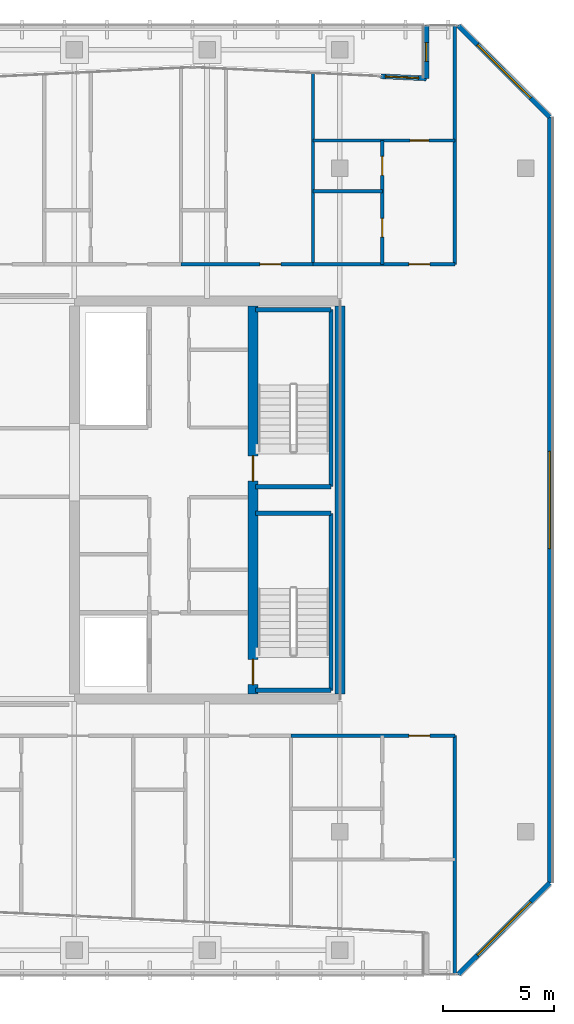
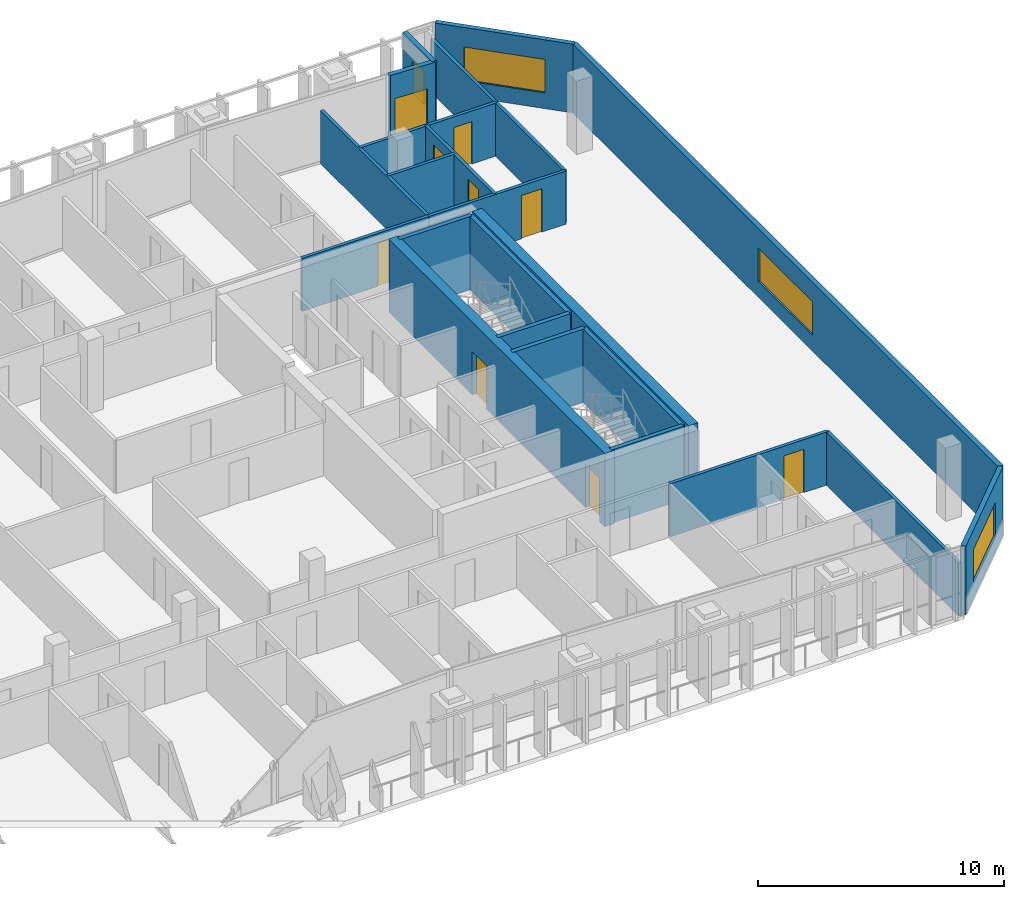
# One storey, part 25 of 31: 22 walls, 9 doors, 4 windows, 13 openings.
"""IFC4 building model written with IfcOpenShell, lengths in metres."""

from ifc_helpers import new_model, si_unit, direction, frame, frame_2d, origin, place, context, subcontext, project, spatial, rectangle, extrude, material, layer, layer_set, type_object, element, fill, save


model = new_model("IFC4")

# Units and contexts
model_context = context("Model", 3, precision=1e-05, world=origin(), true_north=direction((0.0, 1.0)))
body_context = subcontext(model_context, "Body", "Model", "MODEL_VIEW")
ifc_project = project(units=[si_unit("LENGTHUNIT", "METRE"), si_unit("AREAUNIT", "SQUARE_METRE"), si_unit("VOLUMEUNIT", "CUBIC_METRE"), si_unit("PLANEANGLEUNIT", "RADIAN"), si_unit("MASSUNIT", "GRAM", prefix="KILO")], contexts=[model_context])

# Site, building, storey
site_placement = place(None, origin())
site = spatial("IfcSite", under=ifc_project, at=site_placement, CompositionType="ELEMENT")
building_placement = place(site_placement, origin())
building = spatial("IfcBuilding", under=site, at=building_placement, Name="Tanjung Sevakor Pilgrim Tower", CompositionType="ELEMENT")
storey_placement = place(building_placement, frame((0.0, 0.0, 208.22998046875)))
storey = spatial("IfcBuildingStorey", under=building, at=storey_placement, Name="L58", CompositionType="ELEMENT", Elevation=208.22998046875)

# Wall
ifc_material_1 = material(Name="Concrete C60/75", Category="concrete")
ifc_layer_1 = layer(ifc_material_1, 0.449951171875)
ifc_layer_set_1 = layer_set([ifc_layer_1], Name="WALL-CW-450")
wall_type_1 = type_object("IfcWallType", Name="WALL-CW-450", PredefinedType="SHEAR", material=ifc_layer_set_1)
wall_1_placement = place(storey_placement, frame((90.0, 24.824951171875, 0.0), z_axis=(0.0, 0.0, 1.0), x_axis=(0.0, 1.0, 0.0)))
element("IfcWall", 1, at=wall_1_placement, inside=storey, type_object=wall_type_1, Name="L58 E Core Outer Shear Wall", PredefinedType="SHEAR", context=body_context, shape_type="SweptSolid", body=[
    extrude(rectangle(XDim=17.550048828125, YDim=0.449951171875, at=frame_2d((8.77490234375, 0.0))), origin(), (0.0, 0.0, 1.0), 3.630126953125),
])

# Wall, openings, doors
wall_2_placement = place(storey_placement, frame((86.074951171875, 24.824951171875, 0.0), z_axis=(0.0, 0.0, 1.0), x_axis=(0.0, 1.0, 0.0)))
wall_2 = element("IfcWall", 2, at=wall_2_placement, inside=storey, type_object=wall_type_1, Name="L58 E Core Stair Spine Wall", PredefinedType="SHEAR", context=body_context, shape_type="SweptSolid", body=[
    extrude(rectangle(XDim=17.550048828125, YDim=0.449951171875, at=frame_2d((8.77490234375, 0.0))), origin(), (0.0, 0.0, 1.0), 3.630126953125),
])
opening_1_placement = place(wall_2_placement, frame((0.425048828125, 0.0, 0.0)))
opening_1 = element("IfcOpeningElement", 3, at=opening_1_placement, cuts=wall_2, Name="Opening ID-ST1", PredefinedType="OPENING", context=body_context, shape_type="SweptSolid", body=[
    extrude(rectangle(XDim=1.14990234375, YDim=2.14990234375, at=frame_2d((0.574951171875, 1.074951171875))), frame((0.0, 0.23486328125, 0.0), z_axis=(0.0, -1.0, 0.0), x_axis=(1.0, 0.0, 0.0)), (0.0, 0.0, 1.0), 0.469970703125),
])
opening_2_placement = place(wall_2_placement, frame((9.625, 0.0, 0.0)))
opening_2 = element("IfcOpeningElement", 4, at=opening_2_placement, cuts=wall_2, Name="Opening ID-ST1", PredefinedType="OPENING", context=body_context, shape_type="SweptSolid", body=[
    extrude(rectangle(XDim=1.14990234375, YDim=2.14990234375, at=frame_2d((0.574951171875, 1.074951171875))), frame((0.0, 0.23486328125, 0.0), z_axis=(0.0, -1.0, 0.0), x_axis=(1.0, 0.0, 0.0)), (0.0, 0.0, 1.0), 0.469970703125),
])
ifc_material_2 = material(Name="Fire-Rated Steel S355J2", Category="steel")
door_type_1 = type_object("IfcDoorType", Name="DT-FIRE-1150", OperationType="NOTDEFINED", PredefinedType="DOOR", material=ifc_material_2)
door_1_placement = place(opening_1_placement, origin())
door_1 = element("IfcDoor", 5, at=door_1_placement, inside=storey, type_object=door_type_1, Name="L58 TS-E1 Stair Fire Door", OperationType="SINGLE_SWING_LEFT", OverallHeight=2.14990234375, OverallWidth=1.14990234375, PredefinedType="DOOR", context=body_context, shape_type="SweptSolid", body=[
    extrude(rectangle(XDim=1.14990234375, YDim=2.14990234375, at=frame_2d((0.574951171875, 1.074951171875))), frame((0.0, 0.02490234375, 0.0), z_axis=(0.0, -1.0, 0.0), x_axis=(1.0, 0.0, 0.0)), (0.0, 0.0, 1.0), 0.050048828125),
])
fill(opening_1, door_1)
door_2_placement = place(opening_2_placement, origin())
door_2 = element("IfcDoor", 6, at=door_2_placement, inside=storey, type_object=door_type_1, Name="L58 TS-E2 Stair Fire Door", OperationType="SINGLE_SWING_RIGHT", OverallHeight=2.14990234375, OverallWidth=1.14990234375, PredefinedType="DOOR", context=body_context, shape_type="SweptSolid", body=[
    extrude(rectangle(XDim=1.14990234375, YDim=2.14990234375, at=frame_2d((0.574951171875, 1.074951171875))), frame((0.0, 0.02490234375, 0.0), z_axis=(0.0, -1.0, 0.0), x_axis=(1.0, 0.0, 0.0)), (0.0, 0.0, 1.0), 0.050048828125),
])
fill(opening_2, door_2)

# Wall
ifc_material_3 = material(Name="Concrete C40/50", Category="concrete")
ifc_layer_2 = layer(ifc_material_3, 0.14990234375)
ifc_layer_set_2 = layer_set([ifc_layer_2], Name="WT-COMP-150")
wall_type_2 = type_object("IfcWallType", Name="WT-COMP-150", PredefinedType="SOLIDWALL", material=ifc_layer_set_2)
wall_3_placement = place(storey_placement, frame((95.199951171875, 12.159912109375, 0.0), z_axis=(0.0, 0.0, 1.0), x_axis=(0.0, 1.0, 0.0)))
element("IfcWall", 7, at=wall_3_placement, inside=storey, type_object=wall_type_2, Name="L58 Partition IW-L58-071", PredefinedType="SOLIDWALL", context=body_context, shape_type="SweptSolid", body=[
    extrude(rectangle(XDim=10.7900390625, YDim=0.14990234375, at=frame_2d((5.39501953125, 0.0))), origin(), (0.0, 0.0, 1.0), 2.6298828125),
])

# Wall, opening, door
wall_4_placement = place(storey_placement, frame((87.79150390625, 22.949951171875, 0.0), z_axis=(0.0, 0.0, 1.0), x_axis=(1.0, 0.0, 0.0)))
wall_4 = element("IfcWall", 8, at=wall_4_placement, inside=storey, type_object=wall_type_2, Name="L58 Partition IW-L58-093", PredefinedType="SOLIDWALL", context=body_context, shape_type="SweptSolid", body=[
    extrude(rectangle(XDim=7.408447265625, YDim=0.14990234375, at=frame_2d((3.7041015625, 0.0))), origin(), (0.0, 0.0, 1.0), 2.6298828125),
])
opening_3_placement = place(wall_4_placement, frame((5.33349609375, 0.0, 0.0)))
opening_3 = element("IfcOpeningElement", 9, at=opening_3_placement, cuts=wall_4, Name="Opening ID-FD2", PredefinedType="OPENING", context=body_context, shape_type="SweptSolid", body=[
    extrude(rectangle(XDim=0.949951171875, YDim=2.14990234375, at=frame_2d((0.47509765625, 1.074951171875))), frame((0.0, 0.0849609375, 0.0), z_axis=(0.0, -1.0, 0.0), x_axis=(1.0, 0.0, 0.0)), (0.0, 0.0, 1.0), 0.169921875),
])
ifc_material_4 = material(Name="Fire-Rated Timber", Category="wood")
door_type_2 = type_object("IfcDoorType", Name="DT-FIRE-950", OperationType="NOTDEFINED", PredefinedType="DOOR", material=ifc_material_4)
door_3_placement = place(opening_3_placement, origin())
door_3 = element("IfcDoor", 10, at=door_3_placement, inside=storey, type_object=door_type_2, Name="Residence Entrance", OperationType="SINGLE_SWING_RIGHT", OverallHeight=2.14990234375, OverallWidth=0.949951171875, PredefinedType="DOOR", context=body_context, shape_type="SweptSolid", body=[
    extrude(rectangle(XDim=0.949951171875, YDim=2.14990234375, at=frame_2d((0.47509765625, 1.074951171875))), frame((0.0, 0.02490234375, 0.0), z_axis=(0.0, -1.0, 0.0), x_axis=(1.0, 0.0, 0.0)), (0.0, 0.0, 1.0), 0.050048828125),
])
fill(opening_3, door_3)

# Walls
wall_5_placement = place(storey_placement, frame((95.199951171875, 44.25, 0.0), z_axis=(0.0, 0.0, 1.0), x_axis=(0.0, 1.0, 0.0)))
element("IfcWall", 11, at=wall_5_placement, inside=storey, type_object=wall_type_2, Name="L58 Partition IW-L58-104", PredefinedType="SOLIDWALL", context=body_context, shape_type="SweptSolid", body=[
    extrude(rectangle(XDim=10.7900390625, YDim=0.14990234375, at=frame_2d((5.39501953125, 0.0))), origin(), (0.0, 0.0, 1.0), 2.6298828125),
])
wall_6_placement = place(storey_placement, frame((88.783935546875, 44.25, 0.0), z_axis=(0.0, 0.0, 1.0), x_axis=(0.0, 1.0, 0.0)))
element("IfcWall", 12, at=wall_6_placement, inside=storey, type_object=wall_type_2, Name="L58 Partition IW-L58-123", PredefinedType="SOLIDWALL", context=body_context, shape_type="SweptSolid", body=[
    extrude(rectangle(XDim=8.64990234375, YDim=0.14990234375, at=frame_2d((4.324951171875, 0.0))), origin(), (0.0, 0.0, 1.0), 2.6298828125),
])

# Wall, opening, door
wall_7_placement = place(storey_placement, frame((82.825927734375, 44.25, 0.0), z_axis=(0.0, 0.0, 1.0), x_axis=(1.0, 0.0, 0.0)))
wall_7 = element("IfcWall", 13, at=wall_7_placement, inside=storey, type_object=wall_type_2, Name="L58 Partition IW-L58-126", PredefinedType="SOLIDWALL", context=body_context, shape_type="SweptSolid", body=[
    extrude(rectangle(XDim=5.9580078125, YDim=0.14990234375, at=frame_2d((2.97900390625, 0.0))), origin(), (0.0, 0.0, 1.0), 2.6298828125),
])
opening_4_placement = place(wall_7_placement, frame((3.556884765625, 0.0, 0.0)))
opening_4 = element("IfcOpeningElement", 14, at=opening_4_placement, cuts=wall_7, Name="Opening ID-FD2", PredefinedType="OPENING", context=body_context, shape_type="SweptSolid", body=[
    extrude(rectangle(XDim=0.949951171875, YDim=2.14990234375, at=frame_2d((0.47509765625, 1.074951171875))), frame((0.0, 0.0849609375, 0.0), z_axis=(0.0, -1.0, 0.0), x_axis=(1.0, 0.0, 0.0)), (0.0, 0.0, 1.0), 0.169921875),
])
door_4_placement = place(opening_4_placement, origin())
door_4 = element("IfcDoor", 15, at=door_4_placement, inside=storey, type_object=door_type_2, Name="Hostel Quad Entrance", OperationType="SINGLE_SWING_RIGHT", OverallHeight=2.14990234375, OverallWidth=0.949951171875, PredefinedType="DOOR", context=body_context, shape_type="SweptSolid", body=[
    extrude(rectangle(XDim=0.949951171875, YDim=2.14990234375, at=frame_2d((0.47509765625, 1.074951171875))), frame((0.0, 0.02490234375, 0.0), z_axis=(0.0, -1.0, 0.0), x_axis=(1.0, 0.0, 0.0)), (0.0, 0.0, 1.0), 0.050048828125),
])
fill(opening_4, door_4)

wall_8_placement = place(storey_placement, frame((88.783935546875, 44.25, 0.0), z_axis=(0.0, 0.0, 1.0), x_axis=(1.0, 0.0, 0.0)))
wall_8 = element("IfcWall", 16, at=wall_8_placement, inside=storey, type_object=wall_type_2, Name="L58 Partition IW-L58-130", PredefinedType="SOLIDWALL", context=body_context, shape_type="SweptSolid", body=[
    extrude(rectangle(XDim=6.416015625, YDim=0.14990234375, at=frame_2d((3.2080078125, 0.0))), origin(), (0.0, 0.0, 1.0), 2.6298828125),
])
opening_5_placement = place(wall_8_placement, frame((4.341064453125, 0.0, 0.0)))
opening_5 = element("IfcOpeningElement", 17, at=opening_5_placement, cuts=wall_8, Name="Opening ID-FD2", PredefinedType="OPENING", context=body_context, shape_type="SweptSolid", body=[
    extrude(rectangle(XDim=0.949951171875, YDim=2.14990234375, at=frame_2d((0.47509765625, 1.074951171875))), frame((0.0, 0.0849609375, 0.0), z_axis=(0.0, -1.0, 0.0), x_axis=(1.0, 0.0, 0.0)), (0.0, 0.0, 1.0), 0.169921875),
])
door_5_placement = place(opening_5_placement, origin())
door_5 = element("IfcDoor", 18, at=door_5_placement, inside=storey, type_object=door_type_2, Name="Residence Entrance", OperationType="SINGLE_SWING_RIGHT", OverallHeight=2.14990234375, OverallWidth=0.949951171875, PredefinedType="DOOR", context=body_context, shape_type="SweptSolid", body=[
    extrude(rectangle(XDim=0.949951171875, YDim=2.14990234375, at=frame_2d((0.47509765625, 1.074951171875))), frame((0.0, 0.02490234375, 0.0), z_axis=(0.0, -1.0, 0.0), x_axis=(1.0, 0.0, 0.0)), (0.0, 0.0, 1.0), 0.050048828125),
])
fill(opening_5, door_5)

# Wall, opening, window
ifc_material_5 = material(Name="Precast concrete C45/55", Category="concrete")
ifc_layer_3 = layer(ifc_material_5, 0.219970703125)
ifc_layer_set_3 = layer_set([ifc_layer_3], Name="WT-EW-STN4")
wall_type_3 = type_object("IfcWallType", Name="WT-EW-STN4", PredefinedType="SOLIDWALL", material=ifc_layer_set_3)
wall_9_placement = place(storey_placement, frame((95.3544921875, 12.159912109375, 0.0), z_axis=(0.0, 0.0, 1.0), x_axis=(0.707085909342, 0.707127652415, 0.0)))
wall_9 = element("IfcWall", 19, at=wall_9_placement, inside=storey, type_object=wall_type_3, Name="L58 MAIN Sculpted Corner Wall 15", PredefinedType="SOLIDWALL", context=body_context, shape_type="SweptSolid", body=[
    extrude(rectangle(XDim=5.8486328125, YDim=0.219970703125, at=frame_2d((2.92431640625, 0.0))), origin(), (0.0, 0.0, 1.0), 3.409912109375),
])
opening_6_placement = place(wall_9_placement, frame((1.224365234375, 0.0, 0.780029296875)))
opening_6 = element("IfcOpeningElement", 20, at=opening_6_placement, cuts=wall_9, Name="Opening WN-CHM-1660", PredefinedType="OPENING", context=body_context, shape_type="SweptSolid", body=[
    extrude(rectangle(XDim=3.39990234375, YDim=1.659912109375, at=frame_2d((1.699951171875, 0.830078125))), frame((0.0, 0.119873046875, 0.0), z_axis=(0.0, -1.0, 0.0), x_axis=(1.0, 0.0, 0.0)), (0.0, 0.0, 1.0), 0.239990234375),
])
ifc_material_6 = material(Name="Thermally Broken Aluminium and Low-E Glass", Category="aluminium")
window_type_1 = type_object("IfcWindowType", Name="WTYP-WN-CHM-1660", PartitioningType="DOUBLE_PANEL_VERTICAL", PredefinedType="WINDOW", material=ifc_material_6)
window_1_placement = place(opening_6_placement, origin())
window_1 = element("IfcWindow", 21, at=window_1_placement, inside=storey, type_object=window_type_1, Name="L58 Facade Window 01", OverallHeight=1.659912109375, OverallWidth=3.39990234375, PartitioningType="SINGLE_PANEL", PredefinedType="WINDOW", context=body_context, shape_type="SweptSolid", body=[
    extrude(rectangle(XDim=3.39990234375, YDim=1.659912109375, at=frame_2d((1.699951171875, 0.830078125))), frame((0.0, 0.030029296875, 0.0), z_axis=(0.0, -1.0, 0.0), x_axis=(1.0, 0.0, 0.0)), (0.0, 0.0, 1.0), 0.06005859375),
])
fill(opening_6, window_1)

wall_10_placement = place(storey_placement, frame((99.489990234375, 16.295654296875, 0.0), z_axis=(0.0, 0.0, 1.0), x_axis=(0.0, 1.0, 0.0)))
wall_10 = element("IfcWall", 22, at=wall_10_placement, inside=storey, type_object=wall_type_3, Name="L58 MAIN Exterior Wall 17", PredefinedType="SOLIDWALL", context=body_context, shape_type="SweptSolid", body=[
    extrude(rectangle(XDim=34.608642578125, YDim=0.219970703125, at=frame_2d((17.30419921875, 0.0))), origin(), (0.0, 0.0, 1.0), 3.409912109375),
])
opening_7_placement = place(wall_10_placement, frame((15.1044921875, 0.0, 0.780029296875)))
opening_7 = element("IfcOpeningElement", 23, at=opening_7_placement, cuts=wall_10, Name="Opening WN-ENDW-1660", PredefinedType="OPENING", context=body_context, shape_type="SweptSolid", body=[
    extrude(rectangle(XDim=4.39990234375, YDim=1.659912109375, at=frame_2d((2.199951171875, 0.830078125))), frame((0.0, 0.119873046875, 0.0), z_axis=(0.0, -1.0, 0.0), x_axis=(1.0, 0.0, 0.0)), (0.0, 0.0, 1.0), 0.239990234375),
])
ifc_material_7 = material(Name="Thermally Broken Aluminium and Low-E Glass", Category="aluminium")
window_type_2 = type_object("IfcWindowType", Name="WTYP-WN-ENDW-1660", PartitioningType="DOUBLE_PANEL_VERTICAL", PredefinedType="WINDOW", material=ifc_material_7)
window_2_placement = place(opening_7_placement, origin())
window_2 = element("IfcWindow", 24, at=window_2_placement, inside=storey, type_object=window_type_2, Name="L58 Facade Window 01", OverallHeight=1.659912109375, OverallWidth=4.39990234375, PartitioningType="SINGLE_PANEL", PredefinedType="WINDOW", context=body_context, shape_type="SweptSolid", body=[
    extrude(rectangle(XDim=4.39990234375, YDim=1.659912109375, at=frame_2d((2.199951171875, 0.830078125))), frame((0.0, 0.030029296875, 0.0), z_axis=(0.0, -1.0, 0.0), x_axis=(1.0, 0.0, 0.0)), (0.0, 0.0, 1.0), 0.06005859375),
])
fill(opening_7, window_2)

wall_11_placement = place(storey_placement, frame((99.489990234375, 50.904296875, 0.0), z_axis=(0.0, 0.0, 1.0), x_axis=(-0.707085909342, 0.707127652415, 0.0)))
wall_11 = element("IfcWall", 25, at=wall_11_placement, inside=storey, type_object=wall_type_3, Name="L58 MAIN Sculpted Corner Wall 17", PredefinedType="SOLIDWALL", context=body_context, shape_type="SweptSolid", body=[
    extrude(rectangle(XDim=5.8486328125, YDim=0.219970703125, at=frame_2d((2.92431640625, 0.0))), origin(), (0.0, 0.0, 1.0), 3.409912109375),
])
opening_8_placement = place(wall_11_placement, frame((1.224365234375, 0.0, 0.780029296875)))
opening_8 = element("IfcOpeningElement", 26, at=opening_8_placement, cuts=wall_11, Name="Opening WN-CHM-1660", PredefinedType="OPENING", context=body_context, shape_type="SweptSolid", body=[
    extrude(rectangle(XDim=3.39990234375, YDim=1.659912109375, at=frame_2d((1.699951171875, 0.830078125))), frame((0.0, 0.119873046875, 0.0), z_axis=(0.0, -1.0, 0.0), x_axis=(1.0, 0.0, 0.0)), (0.0, 0.0, 1.0), 0.239990234375),
])
window_3_placement = place(opening_8_placement, origin())
window_3 = element("IfcWindow", 27, at=window_3_placement, inside=storey, type_object=window_type_1, Name="L58 Facade Window 01", OverallHeight=1.659912109375, OverallWidth=3.39990234375, PartitioningType="SINGLE_PANEL", PredefinedType="WINDOW", context=body_context, shape_type="SweptSolid", body=[
    extrude(rectangle(XDim=3.39990234375, YDim=1.659912109375, at=frame_2d((1.699951171875, 0.830078125))), frame((0.0, 0.030029296875, 0.0), z_axis=(0.0, -1.0, 0.0), x_axis=(1.0, 0.0, 0.0)), (0.0, 0.0, 1.0), 0.06005859375),
])
fill(opening_8, window_3)

wall_12_placement = place(storey_placement, frame((93.909912109375, 55.0400390625, 0.0), z_axis=(0.0, 0.0, 1.0), x_axis=(0.0, -1.0, 0.0)))
wall_12 = element("IfcWall", 28, at=wall_12_placement, inside=storey, type_object=wall_type_3, Name="L58 MAIN Exterior Wall 20", PredefinedType="SOLIDWALL", context=body_context, shape_type="SweptSolid", body=[
    extrude(rectangle(XDim=2.385498046875, YDim=0.219970703125, at=frame_2d((1.19287109375, 0.0))), origin(), (0.0, 0.0, 1.0), 3.409912109375),
])
opening_9_placement = place(wall_12_placement, frame((0.767578125, 0.0, 0.780029296875)))
opening_9 = element("IfcOpeningElement", 29, at=opening_9_placement, cuts=wall_12, Name="Opening WN-SLM", PredefinedType="OPENING", context=body_context, shape_type="SweptSolid", body=[
    extrude(rectangle(XDim=0.85009765625, YDim=1.64990234375, at=frame_2d((0.425048828125, 0.824951171875))), frame((0.0, 0.119873046875, 0.0), z_axis=(0.0, -1.0, 0.0), x_axis=(1.0, 0.0, 0.0)), (0.0, 0.0, 1.0), 0.239990234375),
])
ifc_material_8 = material(Name="Thermally Broken Aluminium and Low-E Glass", Category="aluminium")
window_type_3 = type_object("IfcWindowType", Name="WTYP-WN-SLM", PartitioningType="SINGLE_PANEL", PredefinedType="WINDOW", material=ifc_material_8)
window_4_placement = place(opening_9_placement, origin())
window_4 = element("IfcWindow", 30, at=window_4_placement, inside=storey, type_object=window_type_3, Name="L58 Facade Window 01", OverallHeight=1.64990234375, OverallWidth=0.85009765625, PartitioningType="SINGLE_PANEL", PredefinedType="WINDOW", context=body_context, shape_type="SweptSolid", body=[
    extrude(rectangle(XDim=0.85009765625, YDim=1.64990234375, at=frame_2d((0.425048828125, 0.824951171875))), frame((0.0, 0.030029296875, 0.0), z_axis=(0.0, -1.0, 0.0), x_axis=(1.0, 0.0, 0.0)), (0.0, 0.0, 1.0), 0.06005859375),
])
fill(opening_9, window_4)

# Wall, opening, door
wall_13_placement = place(storey_placement, frame((93.909912109375, 52.654541015625, 0.0), z_axis=(0.0, 0.0, 1.0), x_axis=(-0.998853072347, 0.047880474754, 0.0)))
wall_13 = element("IfcWall", 31, at=wall_13_placement, inside=storey, type_object=wall_type_3, Name="L58 S-Curve Terrace Threshold Wall 20", PredefinedType="SOLIDWALL", context=body_context, shape_type="SweptSolid", body=[
    extrude(rectangle(XDim=2.06005859375, YDim=0.219970703125, at=frame_2d((1.030029296875, 0.0))), origin(), (0.0, 0.0, 1.0), 3.409912109375),
])
opening_10_placement = place(wall_13_placement, frame((0.35009765625, 0.0, 0.0)))
opening_10 = element("IfcOpeningElement", 32, at=opening_10_placement, cuts=wall_13, Name="Opening ED-TER-1500", PredefinedType="OPENING", context=body_context, shape_type="SweptSolid", body=[
    extrude(rectangle(XDim=1.5, YDim=2.199951171875, at=frame_2d((0.75, 1.10009765625))), frame((0.0, 0.119873046875, 0.0), z_axis=(0.0, -1.0, 0.0), x_axis=(1.0, 0.0, 0.0)), (0.0, 0.0, 1.0), 0.239990234375),
])
ifc_material_9 = material(Name="Anodised Aluminium and Laminated Glass", Category="aluminium")
door_type_3 = type_object("IfcDoorType", Name="DTYP-ED-TER-1500", OperationType="DOUBLE_DOOR_SINGLE_SWING", PredefinedType="DOOR", material=ifc_material_9)
door_6_placement = place(opening_10_placement, frame((1.5, 0.0, 0.0), z_axis=(0.0, 0.0, 1.0), x_axis=(-1.0, 0.0, 0.0)))
door_6 = element("IfcDoor", 33, at=door_6_placement, inside=storey, type_object=door_type_3, Name="L58 S-Curve Terrace Access Door 20", OperationType="SINGLE_SWING_LEFT", OverallHeight=2.199951171875, OverallWidth=1.5, PredefinedType="DOOR", context=body_context, shape_type="SweptSolid", body=[
    extrude(rectangle(XDim=1.5, YDim=2.199951171875, at=frame_2d((0.75, 1.10009765625))), frame((0.0, 0.02490234375, 0.0), z_axis=(0.0, -1.0, 0.0), x_axis=(1.0, 0.0, 0.0)), (0.0, 0.0, 1.0), 0.050048828125),
])
fill(opening_10, door_6)

# Walls
ifc_material_10 = material(Name="Concrete C40/50", Category="concrete")
ifc_layer_4 = layer(ifc_material_10, 0.199951171875)
ifc_layer_set_4 = layer_set([ifc_layer_4], Name="WT-FIRE-200")
wall_type_4 = type_object("IfcWallType", Name="WT-FIRE-200", PredefinedType="SOLIDWALL", material=ifc_layer_set_4)
wall_14_placement = place(storey_placement, frame((86.199951171875, 25.0, 0.0), z_axis=(0.0, 0.0, 1.0), x_axis=(1.0, 0.0, 0.0)))
element("IfcWall", 34, at=wall_14_placement, inside=storey, type_object=wall_type_4, Name="L58 TS-E1 Shaft Wall 1", PredefinedType="SOLIDWALL", context=body_context, shape_type="SweptSolid", body=[
    extrude(rectangle(XDim=3.400146484375, YDim=0.199951171875, at=frame_2d((1.7001953125, 0.0))), origin(), (0.0, 0.0, 1.0), 3.630126953125),
])
wall_15_placement = place(storey_placement, frame((89.60009765625, 25.0, 0.0), z_axis=(0.0, 0.0, 1.0), x_axis=(0.0, 1.0, 0.0)))
element("IfcWall", 35, at=wall_15_placement, inside=storey, type_object=wall_type_4, Name="L58 TS-E1 Shaft Wall 2", PredefinedType="SOLIDWALL", context=body_context, shape_type="SweptSolid", body=[
    extrude(rectangle(XDim=8.0, YDim=0.199951171875, at=frame_2d((4.0, 0.0))), origin(), (0.0, 0.0, 1.0), 3.630126953125),
])
for number, where, z_axis, x_axis, name in (
    (36, (89.60009765625, 33.0, 0.0), (0.0, 0.0, 1.0), (-1.0, 0.0, 0.0), "L58 TS-E1 Shaft Wall 3"),
    (37, (86.199951171875, 34.199951171875, 0.0), (0.0, 0.0, 1.0), (1.0, 0.0, 0.0), "L58 TS-E2 Shaft Wall 1"),
):
    element("IfcWall", number, at=place(storey_placement, frame(where, z_axis=z_axis, x_axis=x_axis)), inside=storey, type_object=wall_type_4, Name=name, PredefinedType="SOLIDWALL", context=body_context, shape_type="SweptSolid", body=[
        extrude(rectangle(XDim=3.400146484375, YDim=0.199951171875, at=frame_2d((1.7001953125, 0.0))), origin(), (0.0, 0.0, 1.0), 3.630126953125),
    ])
wall_16_placement = place(storey_placement, frame((89.60009765625, 34.199951171875, 0.0), z_axis=(0.0, 0.0, 1.0), x_axis=(0.0, 1.0, 0.0)))
element("IfcWall", 38, at=wall_16_placement, inside=storey, type_object=wall_type_4, Name="L58 TS-E2 Shaft Wall 2", PredefinedType="SOLIDWALL", context=body_context, shape_type="SweptSolid", body=[
    extrude(rectangle(XDim=8.0, YDim=0.199951171875, at=frame_2d((4.0, 0.0))), origin(), (0.0, 0.0, 1.0), 3.630126953125),
])
wall_17_placement = place(storey_placement, frame((89.60009765625, 42.199951171875, 0.0), z_axis=(0.0, 0.0, 1.0), x_axis=(-1.0, 0.0, 0.0)))
element("IfcWall", 39, at=wall_17_placement, inside=storey, type_object=wall_type_4, Name="L58 TS-E2 Shaft Wall 3", PredefinedType="SOLIDWALL", context=body_context, shape_type="SweptSolid", body=[
    extrude(rectangle(XDim=3.400146484375, YDim=0.199951171875, at=frame_2d((1.7001953125, 0.0))), origin(), (0.0, 0.0, 1.0), 3.630126953125),
])
ifc_material_11 = material(Name="Gypsum Board Partition", Category="gypsum board")
ifc_layer_5 = layer(ifc_material_11, 0.14990234375)
ifc_layer_set_5 = layer_set([ifc_layer_5], Name="WT-PART-150")
wall_type_5 = type_object("IfcWallType", Name="WT-PART-150", PredefinedType="PARTITIONING", material=ifc_layer_set_5)
wall_18_placement = place(storey_placement, frame((88.783935546875, 47.553955078125, 0.0), z_axis=(0.0, 0.0, 1.0), x_axis=(1.0, 0.0, 0.0)))
element("IfcWall", 40, at=wall_18_placement, inside=storey, type_object=wall_type_5, Name="L58 Partition IW-L58-127", PredefinedType="PARTITIONING", context=body_context, shape_type="SweptSolid", body=[
    extrude(rectangle(XDim=3.135986328125, YDim=0.14990234375, at=frame_2d((1.56787109375, 0.0))), origin(), (0.0, 0.0, 1.0), 2.6298828125),
])

# Wall, openings, doors
wall_19_placement = place(storey_placement, frame((91.919921875, 44.25, 0.0), z_axis=(0.0, 0.0, 1.0), x_axis=(0.0, 1.0, 0.0)))
wall_19 = element("IfcWall", 41, at=wall_19_placement, inside=storey, type_object=wall_type_5, Name="L58 Partition IW-L58-128", PredefinedType="PARTITIONING", context=body_context, shape_type="SweptSolid", body=[
    extrude(rectangle(XDim=5.60009765625, YDim=0.14990234375, at=frame_2d((2.800048828125, 0.0))), origin(), (0.0, 0.0, 1.0), 2.6298828125),
])
opening_11_placement = place(wall_19_placement, frame((1.22705078125, 0.0, 0.0)))
opening_11 = element("IfcOpeningElement", 42, at=opening_11_placement, cuts=wall_19, Name="Opening ID-WC1", PredefinedType="OPENING", context=body_context, shape_type="SweptSolid", body=[
    extrude(rectangle(XDim=0.85009765625, YDim=2.10009765625, at=frame_2d((0.425048828125, 1.050048828125))), frame((0.0, 0.0849609375, 0.0), z_axis=(0.0, -1.0, 0.0), x_axis=(1.0, 0.0, 0.0)), (0.0, 0.0, 1.0), 0.169921875),
])
opening_12_placement = place(wall_19_placement, frame((4.027099609375, 0.0, 0.0)))
opening_12 = element("IfcOpeningElement", 43, at=opening_12_placement, cuts=wall_19, Name="Opening ID-WC1", PredefinedType="OPENING", context=body_context, shape_type="SweptSolid", body=[
    extrude(rectangle(XDim=0.85009765625, YDim=2.10009765625, at=frame_2d((0.425048828125, 1.050048828125))), frame((0.0, 0.0849609375, 0.0), z_axis=(0.0, -1.0, 0.0), x_axis=(1.0, 0.0, 0.0)), (0.0, 0.0, 1.0), 0.169921875),
])
ifc_material_12 = material(Name="Moisture-Resistant Timber", Category="wood")
door_type_4 = type_object("IfcDoorType", Name="DT-INT-850", OperationType="NOTDEFINED", PredefinedType="DOOR", material=ifc_material_12)
door_7_placement = place(opening_11_placement, origin())
door_7 = element("IfcDoor", 44, at=door_7_placement, inside=storey, type_object=door_type_4, Name="Residence Kitchenette Door", OperationType="SINGLE_SWING_LEFT", OverallHeight=2.10009765625, OverallWidth=0.85009765625, PredefinedType="DOOR", context=body_context, shape_type="SweptSolid", body=[
    extrude(rectangle(XDim=0.85009765625, YDim=2.10009765625, at=frame_2d((0.425048828125, 1.050048828125))), frame((0.0, 0.02490234375, 0.0), z_axis=(0.0, -1.0, 0.0), x_axis=(1.0, 0.0, 0.0)), (0.0, 0.0, 1.0), 0.050048828125),
])
fill(opening_11, door_7)
door_8_placement = place(opening_12_placement, origin())
door_8 = element("IfcDoor", 45, at=door_8_placement, inside=storey, type_object=door_type_4, Name="Residence Bathroom Door", OperationType="SINGLE_SWING_RIGHT", OverallHeight=2.10009765625, OverallWidth=0.85009765625, PredefinedType="DOOR", context=body_context, shape_type="SweptSolid", body=[
    extrude(rectangle(XDim=0.85009765625, YDim=2.10009765625, at=frame_2d((0.425048828125, 1.050048828125))), frame((0.0, 0.02490234375, 0.0), z_axis=(0.0, -1.0, 0.0), x_axis=(1.0, 0.0, 0.0)), (0.0, 0.0, 1.0), 0.050048828125),
])
fill(opening_12, door_8)

# Wall, opening, door
wall_20_placement = place(storey_placement, frame((88.783935546875, 49.85009765625, 0.0), z_axis=(0.0, 0.0, 1.0), x_axis=(1.0, 0.0, 0.0)))
wall_20 = element("IfcWall", 46, at=wall_20_placement, inside=storey, type_object=wall_type_5, Name="L58 Partition IW-L58-129", PredefinedType="PARTITIONING", context=body_context, shape_type="SweptSolid", body=[
    extrude(rectangle(XDim=6.416015625, YDim=0.14990234375, at=frame_2d((3.2080078125, 0.0))), origin(), (0.0, 0.0, 1.0), 2.6298828125),
])
opening_13_placement = place(wall_20_placement, frame((4.39111328125, 0.0, 0.0)))
opening_13 = element("IfcOpeningElement", 47, at=opening_13_placement, cuts=wall_20, Name="Opening ID-WC1", PredefinedType="OPENING", context=body_context, shape_type="SweptSolid", body=[
    extrude(rectangle(XDim=0.85009765625, YDim=2.10009765625, at=frame_2d((0.425048828125, 1.050048828125))), frame((0.0, 0.0849609375, 0.0), z_axis=(0.0, -1.0, 0.0), x_axis=(1.0, 0.0, 0.0)), (0.0, 0.0, 1.0), 0.169921875),
])
door_9_placement = place(opening_13_placement, origin())
door_9 = element("IfcDoor", 48, at=door_9_placement, inside=storey, type_object=door_type_4, Name="Residence Bedroom Door", OperationType="SINGLE_SWING_LEFT", OverallHeight=2.10009765625, OverallWidth=0.85009765625, PredefinedType="DOOR", context=body_context, shape_type="SweptSolid", body=[
    extrude(rectangle(XDim=0.85009765625, YDim=2.10009765625, at=frame_2d((0.425048828125, 1.050048828125))), frame((0.0, 0.02490234375, 0.0), z_axis=(0.0, -1.0, 0.0), x_axis=(1.0, 0.0, 0.0)), (0.0, 0.0, 1.0), 0.050048828125),
])
fill(opening_13, door_9)

save(model, "model.ifc")
